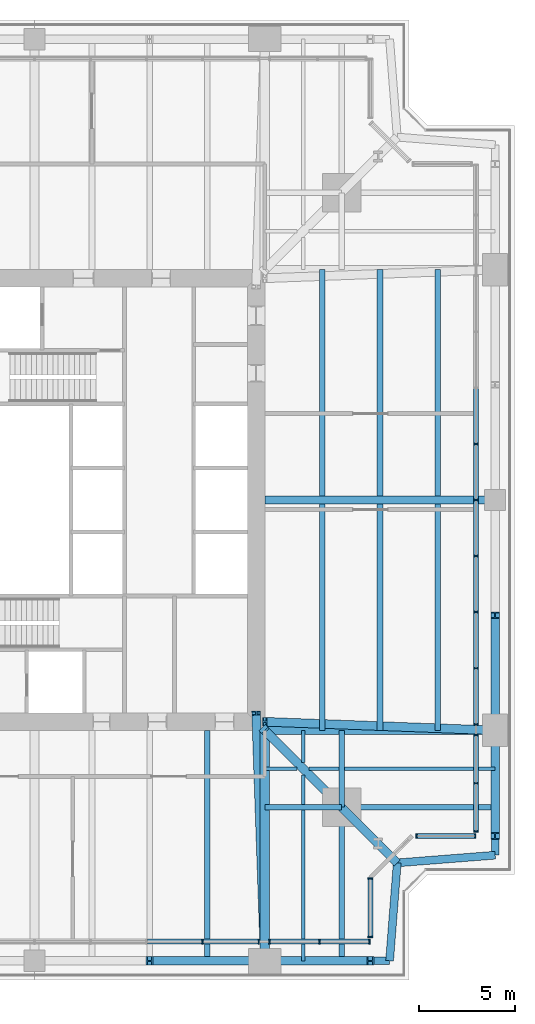
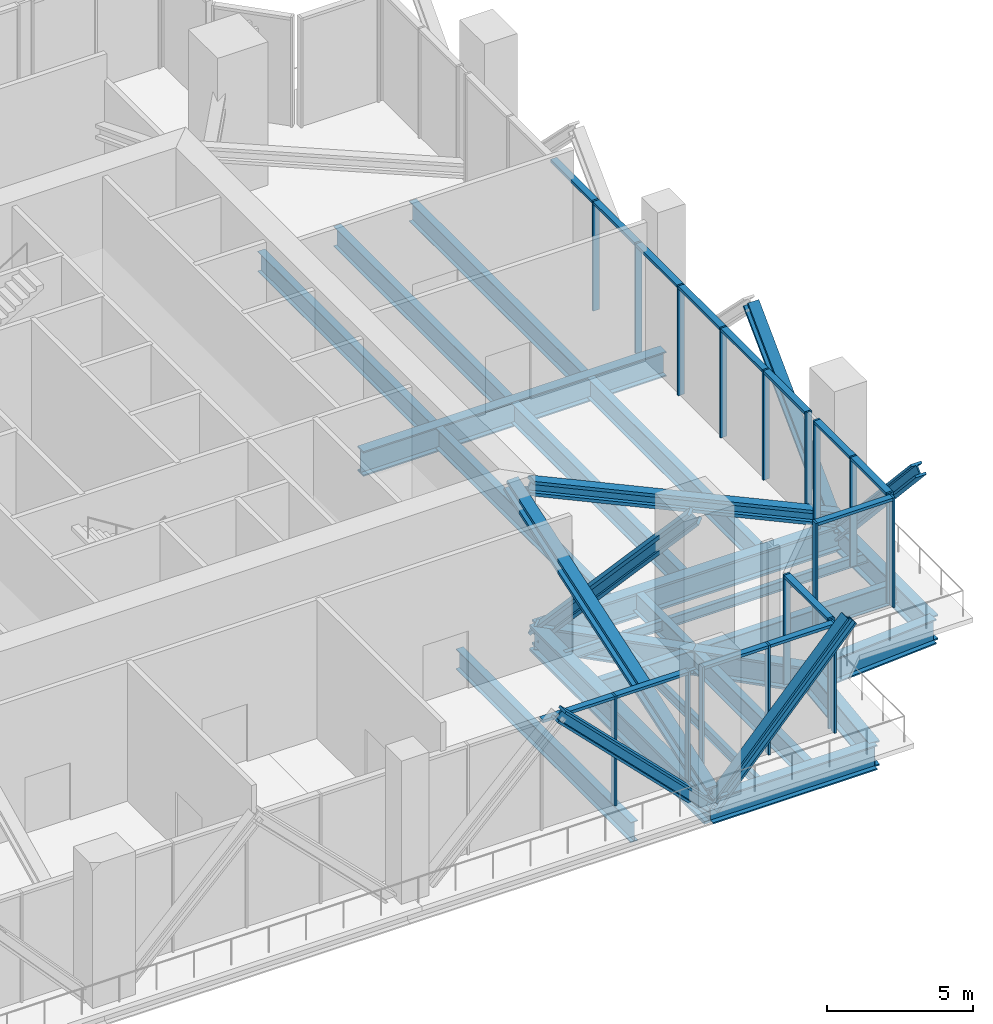
# One storey, part 5 of 14: 39 members, 26 beams, 6 elements without a shape of their own.
"""IFC4 building model written with IfcOpenShell, lengths in metres."""

import ifcopenshell
import ifcopenshell.guid

model = None  # the IFC model being written
_history = None  # IfcOwnerHistory: only IFC2X3 demands one
_inside = {}  # id of a spatial element -> (the spatial element, [elements in it])
_under = {}  # id of a project, library or spatial element -> (it, [spatial elements below it])
_declared = {}  # id of a project -> (the project, [libraries it declares])
_typed = {}  # id of a type object -> (the type object, [elements of that type])
_made_of = {}  # id of a material, layer set ... -> (it, [elements and type objects made of it])


def new_model(schema):
    """Start an empty IFC model of exactly this schema.

    Asked for "IFC4X3", IfcOpenShell would pick the latest addendum, in which some entities
    have other attributes; the version numbers below select the first issue.
    IFC2X3 requires an IfcOwnerHistory on every rooted entity: one is made here for all.
    """
    global model, _history
    if schema == "IFC4X3":
        model = ifcopenshell.file(schema_version=(4, 3, 0, 0))
    else:
        model = ifcopenshell.file(schema=schema)
    _inside.clear()
    _under.clear()
    _declared.clear()
    _typed.clear()
    _made_of.clear()
    _history = None
    if model.schema == "IFC2X3":
        org = make("IfcOrganization", Name="unknown")
        user = make(
            "IfcPersonAndOrganization",
            ThePerson=make("IfcPerson", FamilyName="unknown"),
            TheOrganization=org,
        )
        app = make(
            "IfcApplication",
            ApplicationDeveloper=org,
            Version="unknown",
            ApplicationFullName="unknown",
            ApplicationIdentifier="unknown",
        )
        _history = make(
            "IfcOwnerHistory",
            OwningUser=user,
            OwningApplication=app,
            ChangeAction="ADDED",
            CreationDate=0,
        )
    return model


def make(cls, **values):
    """One entity of the class cls with the attributes given. An attribute that is None is left unset."""
    return model.create_entity(
        cls, **{name: value for name, value in values.items() if value is not None}
    )


def rooted(cls, **values):
    """An entity with a GlobalId (a new one), such as an element, a storey or a relation."""
    return make(cls, GlobalId=ifcopenshell.guid.new(), OwnerHistory=_history, **values)


def si_unit(unit_type, name, prefix=None):
    """IfcSIUnit, for example si_unit("LENGTHUNIT", "METRE", prefix="MILLI")."""
    return make("IfcSIUnit", UnitType=unit_type, Prefix=prefix, Name=name)


def assignment(units):
    """IfcUnitAssignment: the units of a project."""
    return None if units is None else make("IfcUnitAssignment", Units=units)


def point(xyz):
    """IfcCartesianPoint."""
    return None if xyz is None else make("IfcCartesianPoint", Coordinates=xyz)


def direction(xyz):
    """IfcDirection."""
    return None if xyz is None else make("IfcDirection", DirectionRatios=xyz)


def frame(location, z_axis=None, x_axis=None):
    """IfcAxis2Placement3D, a coordinate frame: its origin and axes. An axis left out is left unset."""
    return make(
        "IfcAxis2Placement3D",
        Location=point(location),
        Axis=direction(z_axis),
        RefDirection=direction(x_axis),
    )


def frame_2d(location, x_axis=None):
    """IfcAxis2Placement2D, a coordinate frame in the plane: its origin and x axis."""
    return make(
        "IfcAxis2Placement2D", Location=point(location), RefDirection=direction(x_axis)
    )


def origin():
    """The frame at (0, 0, 0) with its axes left unset."""
    return frame((0.0, 0.0, 0.0))


def origin_2d():
    """The frame at (0, 0) in the plane with its x axis left unset."""
    return frame_2d((0.0, 0.0))


def place(relative_to, where):
    """IfcLocalPlacement: puts the frame where relative to a parent placement (None: the world)."""
    return make(
        "IfcLocalPlacement", PlacementRelTo=relative_to, RelativePlacement=where
    )


def context(
    kind, dimensions, precision=None, world=None, true_north=None, identifier=None
):
    """IfcGeometricRepresentationContext, for example the 3D "Model" context."""
    return make(
        "IfcGeometricRepresentationContext",
        ContextIdentifier=identifier,
        ContextType=kind,
        CoordinateSpaceDimension=dimensions,
        Precision=precision,
        WorldCoordinateSystem=world,
        TrueNorth=true_north,
    )


def subcontext(parent, identifier, kind, view, scale=None):
    """IfcGeometricRepresentationSubContext, for example "Body" below "Model"."""
    return make(
        "IfcGeometricRepresentationSubContext",
        ContextIdentifier=identifier,
        ContextType=kind,
        ParentContext=parent,
        TargetScale=scale,
        TargetView=view,
    )


def project(units=None, contexts=None):
    """IfcProject with its units and contexts."""
    return rooted(
        "IfcProject",
        Name="project",
        RepresentationContexts=contexts,
        UnitsInContext=assignment(units),
    )


def spatial(cls, under=None, at=None, **own):
    """A site, building, storey or space (cls), placed at a placement, below another one or the project."""
    s = rooted(cls, ObjectPlacement=at, **own)
    if under is not None:
        _under.setdefault(under.id(), (under, []))[1].append(s)
    return s


def profile(cls, at=None, kind="AREA", **sizes):
    """A parametric profile (cls). Its sizes go by their IFC names, for example OverallWidth=200.0."""
    return make(cls, ProfileType=kind, Position=at, **sizes)


def rectangle(**sizes):
    """IfcRectangleProfileDef."""
    return profile("IfcRectangleProfileDef", **sizes)


def i_section(**sizes):
    """IfcIShapeProfileDef."""
    return profile("IfcIShapeProfileDef", **sizes)


def extrude(swept, where, along, depth):
    """IfcExtrudedAreaSolid: the profile swept, set in the frame where, extruded along a direction by depth."""
    return make(
        "IfcExtrudedAreaSolid",
        SweptArea=swept,
        Position=where,
        ExtrudedDirection=direction(along),
        Depth=depth,
    )


def shape(context_of_items, identifier, shape_type, items):
    """IfcShapeRepresentation: the items that make up one representation, for example the "Body"."""
    return make(
        "IfcShapeRepresentation",
        ContextOfItems=context_of_items,
        RepresentationIdentifier=identifier,
        RepresentationType=shape_type,
        Items=items,
    )


def material(Name=None, Category=None):
    """IfcMaterial."""
    return make("IfcMaterial", Name=Name, Category=Category)


def material_profile(
    of_material, cross_section, Name=None, Category=None, Priority=None
):
    """IfcMaterialProfile: a cross section and its material."""
    return make(
        "IfcMaterialProfile",
        Name=Name,
        Material=of_material,
        Profile=cross_section,
        Priority=Priority,
        Category=Category,
    )


def profile_set(profiles, Name=None, composite=None):
    """IfcMaterialProfileSet."""
    return make(
        "IfcMaterialProfileSet",
        Name=Name,
        MaterialProfiles=profiles,
        CompositeProfile=composite,
    )


def made_of(thing, what):
    """Note that an element or type object is made of a material, layer set ...; save() writes the relation."""
    if what is not None:
        _made_of.setdefault(what.id(), (what, []))[1].append(thing)
    return thing


def type_object(cls, material=None, **own):
    """A type object (cls), such as IfcWallType, which elements share."""
    return made_of(rooted(cls, **own), material)


def element(
    cls,
    number,
    at=None,
    inside=None,
    cuts=None,
    type_object=None,
    material=None,
    context=None,
    identifier="Body",
    shape_type=None,
    held_by="IfcProductDefinitionShape",
    body=None,
    shapes=None,
    **own,
):
    """One element of the class cls, such as IfcWall. Its Tag is "e" and its number.

    at: its placement. inside: the storey or other place that contains it. cuts: it is an
    opening in that element (IfcRelVoidsElement). A single representation is given by context,
    identifier, shape_type and body (its items); several are given by shapes. held_by: the class
    of the entity that holds the representations. save() writes the other relations.
    """
    e = rooted(cls, Tag="e%d" % number, ObjectPlacement=at, **own)
    if body is not None:
        shapes = [shape(context, identifier, shape_type, body)]
    if shapes is not None:
        e.Representation = make(held_by, Representations=shapes)
    if inside is not None:
        _inside.setdefault(inside.id(), (inside, []))[1].append(e)
    if cuts is not None:
        rooted(
            "IfcRelVoidsElement", RelatingBuildingElement=cuts, RelatedOpeningElement=e
        )
    if type_object is not None:
        _typed.setdefault(type_object.id(), (type_object, []))[1].append(e)
    return made_of(e, material)


def aggregate(whole, parts):
    """IfcRelAggregates: a whole, such as a stair, and the parts it consists of."""
    return rooted("IfcRelAggregates", RelatingObject=whole, RelatedObjects=parts)


def save(model, path):
    """Write the relations noted so far, then the file.

    IfcRelAggregates (storeys below a building ...), IfcRelContainedInSpatialStructure (elements
    in a storey), IfcRelDefinesByType, IfcRelAssociatesMaterial and IfcRelDeclares: one each for
    every whole, place, type object, material and project.
    """
    for whole, parts in _under.values():
        aggregate(whole, parts)
    for where, things in _inside.values():
        rooted(
            "IfcRelContainedInSpatialStructure",
            RelatedElements=things,
            RelatingStructure=where,
        )
    for kind, things in _typed.values():
        rooted("IfcRelDefinesByType", RelatedObjects=things, RelatingType=kind)
    for what, things in _made_of.values():
        rooted("IfcRelAssociatesMaterial", RelatedObjects=things, RelatingMaterial=what)
    for by, libraries in _declared.values():
        rooted("IfcRelDeclares", RelatingContext=by, RelatedDefinitions=libraries)
    model.write(path)


model = new_model("IFC4")

# Units and contexts
model_context = context("Model", 3, precision=1e-05, world=origin(), true_north=direction((0.0, 1.0)))
body_context = subcontext(model_context, "Body", "Model", "MODEL_VIEW")
ifc_project = project(units=[si_unit("LENGTHUNIT", "METRE"), si_unit("AREAUNIT", "SQUARE_METRE"), si_unit("VOLUMEUNIT", "CUBIC_METRE"), si_unit("PLANEANGLEUNIT", "RADIAN"), si_unit("MASSUNIT", "GRAM", prefix="KILO")], contexts=[model_context])

# Site, building, storey
site_placement = place(None, origin())
site = spatial("IfcSite", under=ifc_project, at=site_placement, CompositionType="ELEMENT")
building_placement = place(site_placement, origin())
building = spatial("IfcBuilding", under=site, at=building_placement, Name="Fenwick Lantern Interchange", CompositionType="ELEMENT")
storey_placement = place(building_placement, frame((0.0, 0.0, 233.800048828125)))
storey = spatial("IfcBuildingStorey", under=building, at=storey_placement, Name="L55", CompositionType="ELEMENT", Elevation=233.800048828125)

# Members
ifc_material_1 = material(Name="Steel ASTM A992 Grade 50", Category="steel")
ifc_material_profile_1 = material_profile(ifc_material_1, i_section(OverallWidth=0.431884765625, OverallDepth=0.497802734375, WebThickness=0.0556640625, FlangeThickness=0.0888671875, at=origin_2d()), Name="W14X500")
ifc_profile_set_1 = profile_set([ifc_material_profile_1], Name="Steel ASTM A992 Grade 50")
member_type_1 = type_object("IfcMemberType", Name="BELT TRUSS DIAGONAL W14X500", PredefinedType="BRACE", material=ifc_profile_set_1)
member_1_placement = place(storey_placement, frame((37.0, 1.0, -0.650146484375), z_axis=(-0.707106781187, 0.0, 0.707106781187), x_axis=(0.0, -1.0, 0.0)))
element("IfcMember", 1, at=member_1_placement, inside=storey, type_object=member_type_1, Name="L55/BT/S/D5", PredefinedType="BRACE", context=body_context, shape_type="SweptSolid", body=[
    extrude(i_section(OverallWidth=0.431884765625, OverallDepth=0.497802734375, WebThickness=0.0556640625, FlangeThickness=0.0888671875, at=origin_2d()), origin(), (0.0, 0.0, 1.0), 8.4853515625),
])
for number, where, z_axis, x_axis, name in (
    (2, (37.0, 1.0, -0.650146484375), (0.675724628517, 0.0, 0.737154140201), (0.0, 1.0, 0.0), "L55/BT/S/D6"),
    (3, (49.0, 13.0, -0.650146484375), (0.0, -0.675724628517, 0.737154140201), (1.0, 0.0, 0.0), "L55/BT/E/D1"),
):
    element("IfcMember", number, at=place(storey_placement, frame(where, z_axis=z_axis, x_axis=x_axis)), inside=storey, type_object=member_type_1, Name=name, PredefinedType="BRACE", context=body_context, shape_type="SweptSolid", body=[
        extrude(i_section(OverallWidth=0.431884765625, OverallDepth=0.497802734375, WebThickness=0.0556640625, FlangeThickness=0.0888671875, at=origin_2d()), origin(), (0.0, 0.0, 1.0), 8.139404296875),
    ])
member_2_placement = place(storey_placement, frame((49.0, 13.0, -0.650146484375), z_axis=(0.0, 0.707106781187, 0.707106781187), x_axis=(-1.0, 0.0, 0.0)))
element("IfcMember", 4, at=member_2_placement, inside=storey, type_object=member_type_1, Name="L55/BT/E/D2", PredefinedType="BRACE", context=body_context, shape_type="SweptSolid", body=[
    extrude(i_section(OverallWidth=0.431884765625, OverallDepth=0.497802734375, WebThickness=0.0556640625, FlangeThickness=0.0888671875, at=origin_2d()), origin(), (0.0, 0.0, 1.0), 8.4853515625),
])

# Beams
ifc_material_profile_2 = material_profile(ifc_material_1, i_section(OverallWidth=0.408935546875, OverallDepth=1.04150390625, WebThickness=0.031005859375, FlangeThickness=0.055908203125, at=origin_2d()), Name="W40X397")
ifc_profile_set_2 = profile_set([ifc_material_profile_2], Name="Steel ASTM A992 Grade 50")
beam_type_1 = type_object("IfcBeamType", Name="EDGE BEAM W40X397", PredefinedType="SPANDREL", material=ifc_profile_set_2)
beam_1_placement = place(storey_placement, frame((37.0, 1.0, -0.720703125), z_axis=(1.0, 0.0, 0.0), x_axis=(0.0, 1.0, 0.0)))
element("IfcBeam", 5, at=beam_1_placement, inside=storey, type_object=beam_type_1, Name="L55/FR/S/EB4", PredefinedType="SPANDREL", context=body_context, shape_type="SweptSolid", body=[
    extrude(i_section(OverallWidth=0.408935546875, OverallDepth=1.04150390625, WebThickness=0.031005859375, FlangeThickness=0.055908203125, at=origin_2d()), origin(), (0.0, 0.0, 1.0), 6.5),
])
for number, where, z_axis, x_axis, name in (
    (6, (43.5, 1.0, -0.720703125), (0.078170784639, 0.99693998236, 0.0), (-0.99693998236, 0.078170784639, 0.0), "L55/FR/S/EBR1"),
    (7, (43.89990234375, 6.10009765625, -0.720703125), (0.99693998236, 0.078170784639, 0.0), (-0.078170784639, 0.99693998236, 0.0), "L55/FR/S/EBR2"),
):
    element("IfcBeam", number, at=place(storey_placement, frame(where, z_axis=z_axis, x_axis=x_axis)), inside=storey, type_object=beam_type_1, Name=name, PredefinedType="SPANDREL", context=body_context, shape_type="SweptSolid", body=[
        extrude(i_section(OverallWidth=0.408935546875, OverallDepth=1.04150390625, WebThickness=0.031005859375, FlangeThickness=0.055908203125, at=origin_2d()), origin(), (0.0, 0.0, 1.0), 5.11572265625),
    ])
beam_2_placement = place(storey_placement, frame((49.0, 6.5, -0.720703125), z_axis=(0.0, 1.0, 0.0), x_axis=(-1.0, 0.0, 0.0)))
element("IfcBeam", 8, at=beam_2_placement, inside=storey, type_object=beam_type_1, Name="L55/FR/E/EB1", PredefinedType="SPANDREL", context=body_context, shape_type="SweptSolid", body=[
    extrude(i_section(OverallWidth=0.408935546875, OverallDepth=1.04150390625, WebThickness=0.031005859375, FlangeThickness=0.055908203125, at=origin_2d()), origin(), (0.0, 0.0, 1.0), 6.5),
])
ifc_material_profile_3 = material_profile(ifc_material_1, i_section(OverallWidth=0.2919921875, OverallDepth=0.845703125, WebThickness=0.015380859375, FlangeThickness=0.0244140625, at=origin_2d()), Name="W33X141")
ifc_profile_set_3 = profile_set([ifc_material_profile_3], Name="Steel ASTM A992 Grade 50")
beam_type_2 = type_object("IfcBeamType", Name="FLOOR BEAM W33X141", PredefinedType="BEAM", material=ifc_profile_set_3)
beam_3_placement = place(storey_placement, frame((34.0, 1.0, -0.623046875), z_axis=(0.0, 1.0, 0.0), x_axis=(-1.0, 0.0, 0.0)))
element("IfcBeam", 9, at=beam_3_placement, inside=storey, type_object=beam_type_2, Name="L55/FR/S/R08", PredefinedType="BEAM", context=body_context, shape_type="SweptSolid", body=[
    extrude(i_section(OverallWidth=0.2919921875, OverallDepth=0.845703125, WebThickness=0.015380859375, FlangeThickness=0.0244140625, at=origin_2d()), origin(), (0.0, 0.0, 1.0), 12.0),
])
for number, where, z_axis, x_axis, name in (
    (10, (46.0, 13.0, -0.623046875), (0.0, 1.0, 0.0), (-1.0, 0.0, 0.0), "L55/FR/E/B01"),
    (11, (43.0, 13.0, -0.623046875), (0.0, 1.0, 0.0), (-1.0, 0.0, 0.0), "L55/FR/E/B02"),
    (12, (40.0, 13.0, -0.623046875), (0.0, 1.0, 0.0), (-1.0, 0.0, 0.0), "L55/FR/E/B03"),
    (13, (46.0, 25.20458984375, -0.623046875), (0.0, 1.0, 0.0), (-1.0, 0.0, 0.0), "L55/FR/E/B04"),
    (14, (43.0, 25.20458984375, -0.623046875), (0.0, 1.0, 0.0), (-1.0, 0.0, 0.0), "L55/FR/E/B05"),
    (15, (40.0, 25.20458984375, -0.623046875), (0.0, 1.0, 0.0), (-1.0, 0.0, 0.0), "L55/FR/E/B06"),
):
    element("IfcBeam", number, at=place(storey_placement, frame(where, z_axis=z_axis, x_axis=x_axis)), inside=storey, type_object=beam_type_2, Name=name, PredefinedType="BEAM", context=body_context, shape_type="SweptSolid", body=[
        extrude(i_section(OverallWidth=0.2919921875, OverallDepth=0.845703125, WebThickness=0.015380859375, FlangeThickness=0.0244140625, at=origin_2d()), origin(), (0.0, 0.0, 1.0), 11.79541015625),
    ])
ifc_material_profile_4 = material_profile(ifc_material_1, i_section(OverallWidth=0.177734375, OverallDepth=0.406494140625, WebThickness=0.0078125, FlangeThickness=0.012939453125, at=origin_2d()), Name="W16X40")
ifc_profile_set_4 = profile_set([ifc_material_profile_4], Name="Steel ASTM A992 Grade 50")
beam_type_3 = type_object("IfcBeamType", Name="INFILL BEAM W16X40", PredefinedType="JOIST", material=ifc_profile_set_4)
beam_4_placement = place(storey_placement, frame((49.0, 11.0, -0.4033203125), z_axis=(-1.0, 0.0, 0.0), x_axis=(0.0, -1.0, 0.0)))
element("IfcBeam", 16, at=beam_4_placement, inside=storey, type_object=beam_type_3, Name="L55/FR/E/J1", PredefinedType="JOIST", context=body_context, shape_type="SweptSolid", body=[
    extrude(i_section(OverallWidth=0.177734375, OverallDepth=0.406494140625, WebThickness=0.0078125, FlangeThickness=0.012939453125, at=origin_2d()), origin(), (0.0, 0.0, 1.0), 7.85400390625),
])
beam_5_placement = place(storey_placement, frame((40.85400390625, 11.0, -0.4033203125), z_axis=(-1.0, 0.0, 0.0), x_axis=(0.0, -1.0, 0.0)))
element("IfcBeam", 17, at=beam_5_placement, inside=storey, type_object=beam_type_3, Name="L55/FR/E/J2", PredefinedType="JOIST", context=body_context, shape_type="SweptSolid", body=[
    extrude(i_section(OverallWidth=0.177734375, OverallDepth=0.406494140625, WebThickness=0.0078125, FlangeThickness=0.012939453125, at=origin_2d()), origin(), (0.0, 0.0, 1.0), 1.537841796875),
])
beam_6_placement = place(storey_placement, frame((38.683837890625, 11.0, -0.4033203125), z_axis=(-1.0, 0.0, 0.0), x_axis=(0.0, -1.0, 0.0)))
element("IfcBeam", 18, at=beam_6_placement, inside=storey, type_object=beam_type_3, Name="L55/FR/E/J6", PredefinedType="JOIST", context=body_context, shape_type="SweptSolid", body=[
    extrude(i_section(OverallWidth=0.177734375, OverallDepth=0.406494140625, WebThickness=0.0078125, FlangeThickness=0.012939453125, at=origin_2d()), origin(), (0.0, 0.0, 1.0), 1.683837890625),
])
beam_7_placement = place(storey_placement, frame((39.0, 1.0, -0.4033203125), z_axis=(0.0, 1.0, 0.0), x_axis=(-1.0, 0.0, 0.0)))
element("IfcBeam", 19, at=beam_7_placement, inside=storey, type_object=beam_type_3, Name="L55/FR/E/J3", PredefinedType="JOIST", context=body_context, shape_type="SweptSolid", body=[
    extrude(i_section(OverallWidth=0.177734375, OverallDepth=0.406494140625, WebThickness=0.0078125, FlangeThickness=0.012939453125, at=origin_2d()), origin(), (0.0, 0.0, 1.0), 7.85400390625),
])
beam_8_placement = place(storey_placement, frame((39.0, 9.14599609375, -0.4033203125), z_axis=(0.0, 1.0, 0.0), x_axis=(-1.0, 0.0, 0.0)))
element("IfcBeam", 20, at=beam_8_placement, inside=storey, type_object=beam_type_3, Name="L55/FR/E/J4", PredefinedType="JOIST", context=body_context, shape_type="SweptSolid", body=[
    extrude(i_section(OverallWidth=0.177734375, OverallDepth=0.406494140625, WebThickness=0.0078125, FlangeThickness=0.012939453125, at=origin_2d()), origin(), (0.0, 0.0, 1.0), 1.537841796875),
])
beam_9_placement = place(storey_placement, frame((39.0, 11.316162109375, -0.4033203125), z_axis=(0.0, 1.0, 0.0), x_axis=(-1.0, 0.0, 0.0)))
element("IfcBeam", 21, at=beam_9_placement, inside=storey, type_object=beam_type_3, Name="L55/FR/E/J5", PredefinedType="JOIST", context=body_context, shape_type="SweptSolid", body=[
    extrude(i_section(OverallWidth=0.177734375, OverallDepth=0.406494140625, WebThickness=0.0078125, FlangeThickness=0.012939453125, at=origin_2d()), origin(), (0.0, 0.0, 1.0), 1.683837890625),
])
ifc_material_profile_5 = material_profile(ifc_material_1, i_section(OverallWidth=0.2919921875, OverallDepth=0.845703125, WebThickness=0.015380859375, FlangeThickness=0.0244140625, at=origin_2d()), Name="W33X141")
ifc_profile_set_5 = profile_set([ifc_material_profile_5], Name="Steel ASTM A992 Grade 50")
beam_type_4 = type_object("IfcBeamType", Name="MEGA COLUMN BEAM W33X141", PredefinedType="BEAM", material=ifc_profile_set_5)
for number, where, z_axis, x_axis, name in (
    (22, (41.0, 9.0, -0.623046875), (1.0, 0.0, 0.0), (0.0, 1.0, 0.0), "L55/FR/E/MB1"),
    (23, (41.0, 9.0, -0.623046875), (0.0, -1.0, 0.0), (1.0, 0.0, 0.0), "L55/FR/E/MB2"),
):
    element("IfcBeam", number, at=place(storey_placement, frame(where, z_axis=z_axis, x_axis=x_axis)), inside=storey, type_object=beam_type_4, Name=name, PredefinedType="BEAM", context=body_context, shape_type="SweptSolid", body=[
        extrude(i_section(OverallWidth=0.2919921875, OverallDepth=0.845703125, WebThickness=0.015380859375, FlangeThickness=0.0244140625, at=origin_2d()), origin(), (0.0, 0.0, 1.0), 8.0),
    ])
for number, where, z_axis, x_axis, name in (
    (24, (41.0, 9.0, -0.623046875), (0.0, 1.0, 0.0), (-1.0, 0.0, 0.0), "L55/FR/E/MB3"),
    (25, (41.0, 9.0, -0.623046875), (-1.0, 0.0, 0.0), (0.0, -1.0, 0.0), "L55/FR/E/MB4"),
):
    element("IfcBeam", number, at=place(storey_placement, frame(where, z_axis=z_axis, x_axis=x_axis)), inside=storey, type_object=beam_type_4, Name=name, PredefinedType="BEAM", context=body_context, shape_type="SweptSolid", body=[
        extrude(i_section(OverallWidth=0.2919921875, OverallDepth=0.845703125, WebThickness=0.015380859375, FlangeThickness=0.0244140625, at=origin_2d()), origin(), (0.0, 0.0, 1.0), 4.0),
    ])
ifc_material_profile_6 = material_profile(ifc_material_1, i_section(OverallWidth=0.447021484375, OverallDepth=1.0439453125, WebThickness=0.050048828125, FlangeThickness=0.08984375, at=origin_2d()), Name="W36X652")
ifc_profile_set_6 = profile_set([ifc_material_profile_6], Name="Steel ASTM A992 Grade 50")
beam_type_5 = type_object("IfcBeamType", Name="MOMENT-CONNECTED GIRDER W36X652", PredefinedType="BEAM", material=ifc_profile_set_6)
beam_10_placement = place(storey_placement, frame((49.0, 13.0, -0.721923828125), z_axis=(-1.0, 0.0, 0.0), x_axis=(0.0, -1.0, 0.0)))
element("IfcBeam", 26, at=beam_10_placement, inside=storey, type_object=beam_type_5, Name="L55/FR/E/R01", PredefinedType="BEAM", context=body_context, shape_type="SweptSolid", body=[
    extrude(i_section(OverallWidth=0.447021484375, OverallDepth=1.0439453125, WebThickness=0.050048828125, FlangeThickness=0.08984375, at=origin_2d()), origin(), (0.0, 0.0, 1.0), 12.0),
])
ifc_material_profile_7 = material_profile(ifc_material_1, i_section(OverallWidth=0.472412109375, OverallDepth=1.0947265625, WebThickness=0.07666015625, FlangeThickness=0.114990234375, at=origin_2d()), Name="W36X925")
ifc_profile_set_7 = profile_set([ifc_material_profile_7], Name="Steel ASTM A992 Grade 50")
beam_type_6 = type_object("IfcBeamType", Name="MOMENT-CONNECTED GIRDER W36X925", PredefinedType="BEAM", material=ifc_profile_set_7)
beam_11_placement = place(storey_placement, frame((37.0, 1.0, -0.747314453125), z_axis=(0.0, 1.0, 0.0), x_axis=(-1.0, 0.0, 0.0)))
element("IfcBeam", 27, at=beam_11_placement, inside=storey, type_object=beam_type_6, Name="L55/FR/S/R09", PredefinedType="BEAM", context=body_context, shape_type="SweptSolid", body=[
    extrude(i_section(OverallWidth=0.472412109375, OverallDepth=1.0947265625, WebThickness=0.07666015625, FlangeThickness=0.114990234375, at=origin_2d()), origin(), (0.0, 0.0, 1.0), 12.0),
])
ifc_material_profile_8 = material_profile(ifc_material_1, i_section(OverallWidth=0.408935546875, OverallDepth=1.04150390625, WebThickness=0.031005859375, FlangeThickness=0.055908203125, at=origin_2d()), Name="W40X397")
ifc_profile_set_8 = profile_set([ifc_material_profile_8], Name="Steel ASTM A992 Grade 50")
beam_type_7 = type_object("IfcBeamType", Name="MOMENT-CONNECTED GIRDER W40X397", PredefinedType="BEAM", material=ifc_profile_set_8)
beam_12_placement = place(storey_placement, frame((49.0, 25.0, -0.720703125), z_axis=(-1.0, 0.0, 0.0), x_axis=(0.0, -1.0, 0.0)))
element("IfcBeam", 28, at=beam_12_placement, inside=storey, type_object=beam_type_7, Name="L55/FR/E/R02", PredefinedType="BEAM", context=body_context, shape_type="SweptSolid", body=[
    extrude(i_section(OverallWidth=0.408935546875, OverallDepth=1.04150390625, WebThickness=0.031005859375, FlangeThickness=0.055908203125, at=origin_2d()), origin(), (0.0, 0.0, 1.0), 12.0),
])
ifc_material_profile_9 = material_profile(ifc_material_1, i_section(OverallWidth=0.447021484375, OverallDepth=1.0439453125, WebThickness=0.050048828125, FlangeThickness=0.08984375, at=origin_2d()), Name="W36X652")
ifc_profile_set_9 = profile_set([ifc_material_profile_9], Name="Steel ASTM A992 Grade 50")
beam_type_8 = type_object("IfcBeamType", Name="NOTCH BEAM W36X652", PredefinedType="BEAM", material=ifc_profile_set_9)
beam_13_placement = place(storey_placement, frame((41.0, 9.0, -0.721923828125), z_axis=(0.707106781187, -0.707106781187, 0.0), x_axis=(0.707106781187, 0.707106781187, 0.0)))
element("IfcBeam", 29, at=beam_13_placement, inside=storey, type_object=beam_type_8, Name="L55/FR/E/TG", PredefinedType="BEAM", context=body_context, shape_type="SweptSolid", body=[
    extrude(i_section(OverallWidth=0.447021484375, OverallDepth=1.0439453125, WebThickness=0.050048828125, FlangeThickness=0.08984375, at=origin_2d()), origin(), (0.0, 0.0, 1.0), 4.10107421875),
])
ifc_material_profile_10 = material_profile(ifc_material_1, i_section(OverallWidth=0.447021484375, OverallDepth=1.0439453125, WebThickness=0.050048828125, FlangeThickness=0.08984375, at=origin_2d()), Name="W36X652")
ifc_profile_set_10 = profile_set([ifc_material_profile_10], Name="Steel ASTM A992 Grade 50")
beam_type_9 = type_object("IfcBeamType", Name="OUTRIGGER CHORD W36X652", PredefinedType="BEAM", material=ifc_profile_set_10)
beam_14_placement = place(storey_placement, frame((37.0, 13.0, -0.721923828125), z_axis=(0.707106781187, -0.707106781187, 0.0), x_axis=(0.707106781187, 0.707106781187, 0.0)))
element("IfcBeam", 30, at=beam_14_placement, inside=storey, type_object=beam_type_9, Name="L55/OR/E/BC", PredefinedType="BEAM", context=body_context, shape_type="SweptSolid", body=[
    extrude(i_section(OverallWidth=0.447021484375, OverallDepth=1.0439453125, WebThickness=0.050048828125, FlangeThickness=0.08984375, at=origin_2d()), origin(), (0.0, 0.0, 1.0), 5.65673828125),
])

# Members
ifc_material_profile_11 = material_profile(ifc_material_1, i_section(OverallWidth=0.45458984375, OverallDepth=0.56884765625, WebThickness=0.077880859375, FlangeThickness=0.124755859375, at=origin_2d()), Name="W14X730")
ifc_profile_set_11 = profile_set([ifc_material_profile_11], Name="Steel ASTM A992 Grade 50")
member_type_2 = type_object("IfcMemberType", Name="OUTRIGGER DIAGONAL W14X730", PredefinedType="BRACE", material=ifc_profile_set_11)
member_3_placement = place(storey_placement, frame((37.0, 1.0, 0.0), z_axis=(-0.032287919116, 0.925680450498, 0.376925979266), x_axis=(-0.999392240336, -0.034859001078, 0.0)))
element("IfcMember", 31, at=member_3_placement, inside=storey, type_object=member_type_2, Name="L55/OR/S/W2", PredefinedType="BRACE", context=body_context, shape_type="SweptSolid", body=[
    extrude(i_section(OverallWidth=0.45458984375, OverallDepth=0.56884765625, WebThickness=0.077880859375, FlangeThickness=0.124755859375, at=origin_2d()), origin(), (0.0, 0.0, 1.0), 13.935546875),
])
member_4_placement = place(storey_placement, frame((37.0, 13.0, -0.721923828125), z_axis=(0.485071250073, -0.485071250073, 0.727606875109), x_axis=(0.707106781187, 0.707106781187, 0.0)))
element("IfcMember", 32, at=member_4_placement, inside=storey, type_object=member_type_2, Name="L55/OR/E/D", PredefinedType="BRACE", context=body_context, shape_type="SweptSolid", body=[
    extrude(i_section(OverallWidth=0.45458984375, OverallDepth=0.56884765625, WebThickness=0.077880859375, FlangeThickness=0.124755859375, at=origin_2d()), origin(), (0.0, 0.0, 1.0), 8.24609375),
])
member_5_placement = place(storey_placement, frame((49.0, 13.0, 0.0), z_axis=(-0.914830425653, 0.034302418507, 0.402378722579), x_axis=(-0.037469600146, -0.999297767968, 0.0)))
element("IfcMember", 33, at=member_5_placement, inside=storey, type_object=member_type_2, Name="L55/OR/E/W1", PredefinedType="BRACE", context=body_context, shape_type="SweptSolid", body=[
    extrude(i_section(OverallWidth=0.45458984375, OverallDepth=0.56884765625, WebThickness=0.077880859375, FlangeThickness=0.124755859375, at=origin_2d()), origin(), (0.0, 0.0, 1.0), 13.1171875),
])

# Curtain wall, members
ifc_material_2 = material(Name="Aluminium curtain wall frame", Category="aluminium")
curtain_wall_type = type_object("IfcCurtainWallType", Name="PLANT LOUVRE SCREEN", PredefinedType="USERDEFINED", material=ifc_material_2)
curtain_wall_1_placement = place(storey_placement, origin())
curtain_wall_1 = element("IfcCurtainWall", 34, at=curtain_wall_1_placement, inside=storey, type_object=curtain_wall_type, Name="Plant louvre screen 01", ObjectType="PLANT LOUVRE SCREEN", PredefinedType="USERDEFINED")
ifc_material_3 = material(Name="Aluminium extrusion", Category="aluminium")
ifc_material_profile_12 = material_profile(ifc_material_3, rectangle(XDim=0.25, YDim=0.074951171875, at=origin_2d()), Name="PLANT LOUVRE SCREEN MULLION 75 X 250")
ifc_profile_set_12 = profile_set([ifc_material_profile_12], Name="Aluminium extrusion")
member_type_3 = type_object("IfcMemberType", Name="PLANT LOUVRE SCREEN MULLION 75 X 250", PredefinedType="MULLION", material=ifc_profile_set_12)
member_6_placement = place(storey_placement, frame((42.5, 2.237548828125, 0.0), z_axis=(0.0, 0.0, 1.0), x_axis=(-1.0, 0.0, 0.0)))
member_6 = element("IfcMember", 35, at=member_6_placement, type_object=member_type_3, Name="L55/CW/01/M00", PredefinedType="MULLION", context=body_context, shape_type="SweptSolid", body=[
    extrude(rectangle(XDim=0.25, YDim=0.074951171875, at=origin_2d()), origin(), (0.0, 0.0, 1.0), 4.599853515625),
])
member_7_placement = place(storey_placement, frame((42.5, 5.291015625, 0.0), z_axis=(0.0, 0.0, 1.0), x_axis=(-1.0, 0.0, 0.0)))
member_7 = element("IfcMember", 36, at=member_7_placement, type_object=member_type_3, Name="L55/CW/01/M01", PredefinedType="MULLION", context=body_context, shape_type="SweptSolid", body=[
    extrude(rectangle(XDim=0.25, YDim=0.074951171875, at=origin_2d()), origin(), (0.0, 0.0, 1.0), 4.599853515625),
])

curtain_wall_2_placement = place(storey_placement, origin())
curtain_wall_2 = element("IfcCurtainWall", 37, at=curtain_wall_2_placement, inside=storey, type_object=curtain_wall_type, Name="Plant louvre screen 03", ObjectType="PLANT LOUVRE SCREEN", PredefinedType="USERDEFINED")
member_8_placement = place(storey_placement, frame((44.9091796875, 7.5, 0.0), z_axis=(0.0, 0.0, 1.0), x_axis=(0.0, 1.0, 0.0)))
member_8 = element("IfcMember", 38, at=member_8_placement, type_object=member_type_3, Name="L55/CW/03/M00", PredefinedType="MULLION", context=body_context, shape_type="SweptSolid", body=[
    extrude(rectangle(XDim=0.25, YDim=0.074951171875, at=origin_2d()), origin(), (0.0, 0.0, 1.0), 4.599853515625),
])
member_9_placement = place(storey_placement, frame((47.96240234375, 7.5, 0.0), z_axis=(0.0, 0.0, 1.0), x_axis=(0.0, 1.0, 0.0)))
member_9 = element("IfcMember", 39, at=member_9_placement, type_object=member_type_3, Name="L55/CW/03/M01", PredefinedType="MULLION", context=body_context, shape_type="SweptSolid", body=[
    extrude(rectangle(XDim=0.25, YDim=0.074951171875, at=origin_2d()), origin(), (0.0, 0.0, 1.0), 4.599853515625),
])

curtain_wall_3_placement = place(storey_placement, origin())
curtain_wall_3 = element("IfcCurtainWall", 40, at=curtain_wall_3_placement, inside=storey, type_object=curtain_wall_type, Name="Plant louvre screen 04A", ObjectType="PLANT LOUVRE SCREEN", PredefinedType="USERDEFINED")
member_10_placement = place(storey_placement, frame((48.0, 7.737548828125, 0.0), z_axis=(0.0, 0.0, 1.0), x_axis=(-1.0, 0.0, 0.0)))
member_10 = element("IfcMember", 41, at=member_10_placement, type_object=member_type_3, Name="L55/CW/04A/M00", PredefinedType="MULLION", context=body_context, shape_type="SweptSolid", body=[
    extrude(rectangle(XDim=0.25, YDim=0.074951171875, at=origin_2d()), origin(), (0.0, 0.0, 1.0), 4.599853515625),
])
member_11_placement = place(storey_placement, frame((48.0, 10.24755859375, 0.0), z_axis=(0.0, 0.0, 1.0), x_axis=(-1.0, 0.0, 0.0)))
member_11 = element("IfcMember", 42, at=member_11_placement, type_object=member_type_3, Name="L55/CW/04A/M01", PredefinedType="MULLION", context=body_context, shape_type="SweptSolid", body=[
    extrude(rectangle(XDim=0.25, YDim=0.074951171875, at=origin_2d()), origin(), (0.0, 0.0, 1.0), 4.599853515625),
])
member_12_placement = place(storey_placement, frame((48.0, 12.7578125, 0.0), z_axis=(0.0, 0.0, 1.0), x_axis=(-1.0, 0.0, 0.0)))
member_12 = element("IfcMember", 43, at=member_12_placement, type_object=member_type_3, Name="L55/CW/04A/M02", PredefinedType="MULLION", context=body_context, shape_type="SweptSolid", body=[
    extrude(rectangle(XDim=0.25, YDim=0.074951171875, at=origin_2d()), origin(), (0.0, 0.0, 1.0), 4.599853515625),
])

curtain_wall_4_placement = place(storey_placement, origin())
curtain_wall_4 = element("IfcCurtainWall", 44, at=curtain_wall_4_placement, inside=storey, type_object=curtain_wall_type, Name="Plant louvre screen 04B", ObjectType="PLANT LOUVRE SCREEN", PredefinedType="USERDEFINED")
member_13_placement = place(storey_placement, frame((48.0, 13.317138671875, 0.0), z_axis=(0.0, 0.0, 1.0), x_axis=(-1.0, 0.0, 0.0)))
member_13 = element("IfcMember", 45, at=member_13_placement, type_object=member_type_3, Name="L55/CW/04B/M00", PredefinedType="MULLION", context=body_context, shape_type="SweptSolid", body=[
    extrude(rectangle(XDim=0.25, YDim=0.074951171875, at=origin_2d()), origin(), (0.0, 0.0, 1.0), 4.599853515625),
])
member_14_placement = place(storey_placement, frame((48.0, 16.23779296875, 0.0), z_axis=(0.0, 0.0, 1.0), x_axis=(-1.0, 0.0, 0.0)))
member_14 = element("IfcMember", 46, at=member_14_placement, type_object=member_type_3, Name="L55/CW/04B/M01", PredefinedType="MULLION", context=body_context, shape_type="SweptSolid", body=[
    extrude(rectangle(XDim=0.25, YDim=0.074951171875, at=origin_2d()), origin(), (0.0, 0.0, 1.0), 4.599853515625),
])
member_15_placement = place(storey_placement, frame((48.0, 19.15869140625, 0.0), z_axis=(0.0, 0.0, 1.0), x_axis=(-1.0, 0.0, 0.0)))
member_15 = element("IfcMember", 47, at=member_15_placement, type_object=member_type_3, Name="L55/CW/04B/M02", PredefinedType="MULLION", context=body_context, shape_type="SweptSolid", body=[
    extrude(rectangle(XDim=0.25, YDim=0.074951171875, at=origin_2d()), origin(), (0.0, 0.0, 1.0), 4.599853515625),
])
member_16_placement = place(storey_placement, frame((48.0, 22.079345703125, 0.0), z_axis=(0.0, 0.0, 1.0), x_axis=(-1.0, 0.0, 0.0)))
member_16 = element("IfcMember", 48, at=member_16_placement, type_object=member_type_3, Name="L55/CW/04B/M03", PredefinedType="MULLION", context=body_context, shape_type="SweptSolid", body=[
    extrude(rectangle(XDim=0.25, YDim=0.074951171875, at=origin_2d()), origin(), (0.0, 0.0, 1.0), 4.599853515625),
])
member_17_placement = place(storey_placement, frame((48.0, 25.0, 0.0), z_axis=(0.0, 0.0, 1.0), x_axis=(-1.0, 0.0, 0.0)))
member_17 = element("IfcMember", 49, at=member_17_placement, type_object=member_type_3, Name="L55/CW/04B/M04", PredefinedType="MULLION", context=body_context, shape_type="SweptSolid", body=[
    extrude(rectangle(XDim=0.25, YDim=0.074951171875, at=origin_2d()), origin(), (0.0, 0.0, 1.0), 4.599853515625),
])
member_18_placement = place(storey_placement, frame((48.0, 27.920654296875, 0.0), z_axis=(0.0, 0.0, 1.0), x_axis=(-1.0, 0.0, 0.0)))
member_18 = element("IfcMember", 50, at=member_18_placement, type_object=member_type_3, Name="L55/CW/04B/M05", PredefinedType="MULLION", context=body_context, shape_type="SweptSolid", body=[
    extrude(rectangle(XDim=0.25, YDim=0.074951171875, at=origin_2d()), origin(), (0.0, 0.0, 1.0), 4.599853515625),
])

curtain_wall_5_placement = place(storey_placement, origin())
curtain_wall_5 = element("IfcCurtainWall", 51, at=curtain_wall_5_placement, inside=storey, type_object=curtain_wall_type, Name="Plant louvre screen 16B", ObjectType="PLANT LOUVRE SCREEN", PredefinedType="USERDEFINED")
member_19_placement = place(storey_placement, frame((33.764404296875, 2.0, 0.0), z_axis=(0.0, 0.0, 1.0), x_axis=(0.0, 1.0, 0.0)))
member_19 = element("IfcMember", 52, at=member_19_placement, type_object=member_type_3, Name="L55/CW/16B/M07", PredefinedType="MULLION", context=body_context, shape_type="SweptSolid", body=[
    extrude(rectangle(XDim=0.25, YDim=0.074951171875, at=origin_2d()), origin(), (0.0, 0.0, 1.0), 4.599853515625),
])
member_20_placement = place(storey_placement, frame((36.685791015625, 2.0, 0.0), z_axis=(0.0, 0.0, 1.0), x_axis=(0.0, 1.0, 0.0)))
member_20 = element("IfcMember", 53, at=member_20_placement, type_object=member_type_3, Name="L55/CW/16B/M08", PredefinedType="MULLION", context=body_context, shape_type="SweptSolid", body=[
    extrude(rectangle(XDim=0.25, YDim=0.074951171875, at=origin_2d()), origin(), (0.0, 0.0, 1.0), 4.599853515625),
])

curtain_wall_6_placement = place(storey_placement, origin())
curtain_wall_6 = element("IfcCurtainWall", 54, at=curtain_wall_6_placement, inside=storey, type_object=curtain_wall_type, Name="Plant louvre screen 16C", ObjectType="PLANT LOUVRE SCREEN", PredefinedType="USERDEFINED")
member_21_placement = place(storey_placement, frame((37.244384765625, 2.0, 0.0), z_axis=(0.0, 0.0, 1.0), x_axis=(0.0, 1.0, 0.0)))
member_21 = element("IfcMember", 55, at=member_21_placement, type_object=member_type_3, Name="L55/CW/16C/M00", PredefinedType="MULLION", context=body_context, shape_type="SweptSolid", body=[
    extrude(rectangle(XDim=0.25, YDim=0.074951171875, at=origin_2d()), origin(), (0.0, 0.0, 1.0), 4.599853515625),
])
member_22_placement = place(storey_placement, frame((39.853515625, 2.0, 0.0), z_axis=(0.0, 0.0, 1.0), x_axis=(0.0, 1.0, 0.0)))
member_22 = element("IfcMember", 56, at=member_22_placement, type_object=member_type_3, Name="L55/CW/16C/M01", PredefinedType="MULLION", context=body_context, shape_type="SweptSolid", body=[
    extrude(rectangle(XDim=0.25, YDim=0.074951171875, at=origin_2d()), origin(), (0.0, 0.0, 1.0), 4.599853515625),
])
member_23_placement = place(storey_placement, frame((42.46240234375, 2.0, 0.0), z_axis=(0.0, 0.0, 1.0), x_axis=(0.0, 1.0, 0.0)))
member_23 = element("IfcMember", 57, at=member_23_placement, type_object=member_type_3, Name="L55/CW/16C/M02", PredefinedType="MULLION", context=body_context, shape_type="SweptSolid", body=[
    extrude(rectangle(XDim=0.25, YDim=0.074951171875, at=origin_2d()), origin(), (0.0, 0.0, 1.0), 4.599853515625),
])

# Member
ifc_material_profile_13 = material_profile(ifc_material_3, rectangle(XDim=0.25, YDim=0.1201171875, at=origin_2d()), Name="PLANT LOUVRE SCREEN TRANSOM 120 X 250")
ifc_profile_set_13 = profile_set([ifc_material_profile_13], Name="Aluminium extrusion")
member_type_4 = type_object("IfcMemberType", Name="PLANT LOUVRE SCREEN TRANSOM 120 X 250", PredefinedType="MULLION", material=ifc_profile_set_13)
member_24_placement = place(storey_placement, frame((42.5, 2.27490234375, 4.5400390625), z_axis=(0.0, 1.0, 0.0), x_axis=(-1.0, 0.0, 0.0)))
member_24 = element("IfcMember", 58, at=member_24_placement, type_object=member_type_4, Name="L55/CW/01/T00", PredefinedType="MULLION", context=body_context, shape_type="SweptSolid", body=[
    extrude(rectangle(XDim=0.25, YDim=0.1201171875, at=origin_2d()), origin(), (0.0, 0.0, 1.0), 2.978515625),
])

aggregate(curtain_wall_1, [member_6, member_7, member_24])

member_25_placement = place(storey_placement, frame((44.946533203125, 7.5, 4.5400390625), z_axis=(1.0, 0.0, 0.0), x_axis=(0.0, 1.0, 0.0)))
member_25 = element("IfcMember", 59, at=member_25_placement, type_object=member_type_4, Name="L55/CW/03/T00", PredefinedType="MULLION", context=body_context, shape_type="SweptSolid", body=[
    extrude(rectangle(XDim=0.25, YDim=0.1201171875, at=origin_2d()), origin(), (0.0, 0.0, 1.0), 2.978515625),
])

aggregate(curtain_wall_2, [member_8, member_9, member_25])

member_26_placement = place(storey_placement, frame((48.0, 7.77490234375, 4.5400390625), z_axis=(0.0, 1.0, 0.0), x_axis=(-1.0, 0.0, 0.0)))
member_26 = element("IfcMember", 60, at=member_26_placement, type_object=member_type_4, Name="L55/CW/04A/T00", PredefinedType="MULLION", context=body_context, shape_type="SweptSolid", body=[
    extrude(rectangle(XDim=0.25, YDim=0.1201171875, at=origin_2d()), origin(), (0.0, 0.0, 1.0), 2.435302734375),
])

member_27_placement = place(storey_placement, frame((48.0, 10.28515625, 4.5400390625), z_axis=(0.0, 1.0, 0.0), x_axis=(-1.0, 0.0, 0.0)))
member_27 = element("IfcMember", 61, at=member_27_placement, type_object=member_type_4, Name="L55/CW/04A/T01", PredefinedType="MULLION", context=body_context, shape_type="SweptSolid", body=[
    extrude(rectangle(XDim=0.25, YDim=0.1201171875, at=origin_2d()), origin(), (0.0, 0.0, 1.0), 2.43505859375),
])

aggregate(curtain_wall_3, [member_10, member_11, member_12, member_26, member_27])

member_28_placement = place(storey_placement, frame((48.0, 13.354736328125, 4.5400390625), z_axis=(0.0, 1.0, 0.0), x_axis=(-1.0, 0.0, 0.0)))
member_28 = element("IfcMember", 62, at=member_28_placement, type_object=member_type_4, Name="L55/CW/04B/T00", PredefinedType="MULLION", context=body_context, shape_type="SweptSolid", body=[
    extrude(rectangle(XDim=0.25, YDim=0.1201171875, at=origin_2d()), origin(), (0.0, 0.0, 1.0), 2.845703125),
])

member_29_placement = place(storey_placement, frame((48.0, 16.275390625, 4.5400390625), z_axis=(0.0, 1.0, 0.0), x_axis=(-1.0, 0.0, 0.0)))
member_29 = element("IfcMember", 63, at=member_29_placement, type_object=member_type_4, Name="L55/CW/04B/T01", PredefinedType="MULLION", context=body_context, shape_type="SweptSolid", body=[
    extrude(rectangle(XDim=0.25, YDim=0.1201171875, at=origin_2d()), origin(), (0.0, 0.0, 1.0), 2.845703125),
])

member_30_placement = place(storey_placement, frame((48.0, 19.196044921875, 4.5400390625), z_axis=(0.0, 1.0, 0.0), x_axis=(-1.0, 0.0, 0.0)))
member_30 = element("IfcMember", 64, at=member_30_placement, type_object=member_type_4, Name="L55/CW/04B/T02", PredefinedType="MULLION", context=body_context, shape_type="SweptSolid", body=[
    extrude(rectangle(XDim=0.25, YDim=0.1201171875, at=origin_2d()), origin(), (0.0, 0.0, 1.0), 2.845703125),
])

member_31_placement = place(storey_placement, frame((48.0, 22.11669921875, 4.5400390625), z_axis=(0.0, 1.0, 0.0), x_axis=(-1.0, 0.0, 0.0)))
member_31 = element("IfcMember", 65, at=member_31_placement, type_object=member_type_4, Name="L55/CW/04B/T03", PredefinedType="MULLION", context=body_context, shape_type="SweptSolid", body=[
    extrude(rectangle(XDim=0.25, YDim=0.1201171875, at=origin_2d()), origin(), (0.0, 0.0, 1.0), 2.845703125),
])

member_32_placement = place(storey_placement, frame((48.0, 25.03759765625, 4.5400390625), z_axis=(0.0, 1.0, 0.0), x_axis=(-1.0, 0.0, 0.0)))
member_32 = element("IfcMember", 66, at=member_32_placement, type_object=member_type_4, Name="L55/CW/04B/T04", PredefinedType="MULLION", context=body_context, shape_type="SweptSolid", body=[
    extrude(rectangle(XDim=0.25, YDim=0.1201171875, at=origin_2d()), origin(), (0.0, 0.0, 1.0), 2.845703125),
])

member_33_placement = place(storey_placement, frame((48.0, 27.958251953125, 4.5400390625), z_axis=(0.0, 1.0, 0.0), x_axis=(-1.0, 0.0, 0.0)))
member_33 = element("IfcMember", 67, at=member_33_placement, type_object=member_type_4, Name="L55/CW/04B/T05", PredefinedType="MULLION", context=body_context, shape_type="SweptSolid", body=[
    extrude(rectangle(XDim=0.25, YDim=0.1201171875, at=origin_2d()), origin(), (0.0, 0.0, 1.0), 2.845703125),
])

aggregate(curtain_wall_4, [member_13, member_14, member_15, member_16, member_17, member_18, member_28, member_29, member_30, member_31, member_32, member_33])

member_34_placement = place(storey_placement, frame((30.88037109375, 2.0, 4.5400390625), z_axis=(1.0, 0.0, 0.0), x_axis=(0.0, 1.0, 0.0)))
member_34 = element("IfcMember", 68, at=member_34_placement, type_object=member_type_4, Name="L55/CW/16B/T06", PredefinedType="MULLION", context=body_context, shape_type="SweptSolid", body=[
    extrude(rectangle(XDim=0.25, YDim=0.1201171875, at=origin_2d()), origin(), (0.0, 0.0, 1.0), 2.846435546875),
])

member_35_placement = place(storey_placement, frame((33.8017578125, 2.0, 4.5400390625), z_axis=(1.0, 0.0, 0.0), x_axis=(0.0, 1.0, 0.0)))
member_35 = element("IfcMember", 69, at=member_35_placement, type_object=member_type_4, Name="L55/CW/16B/T07", PredefinedType="MULLION", context=body_context, shape_type="SweptSolid", body=[
    extrude(rectangle(XDim=0.25, YDim=0.1201171875, at=origin_2d()), origin(), (0.0, 0.0, 1.0), 2.846435546875),
])

aggregate(curtain_wall_5, [member_19, member_20, member_34, member_35])

member_36_placement = place(storey_placement, frame((37.281982421875, 2.0, 4.5400390625), z_axis=(1.0, 0.0, 0.0), x_axis=(0.0, 1.0, 0.0)))
member_36 = element("IfcMember", 70, at=member_36_placement, type_object=member_type_4, Name="L55/CW/16C/T00", PredefinedType="MULLION", context=body_context, shape_type="SweptSolid", body=[
    extrude(rectangle(XDim=0.25, YDim=0.1201171875, at=origin_2d()), origin(), (0.0, 0.0, 1.0), 2.533935546875),
])

member_37_placement = place(storey_placement, frame((39.890869140625, 2.0, 4.5400390625), z_axis=(1.0, 0.0, 0.0), x_axis=(0.0, 1.0, 0.0)))
member_37 = element("IfcMember", 71, at=member_37_placement, type_object=member_type_4, Name="L55/CW/16C/T01", PredefinedType="MULLION", context=body_context, shape_type="SweptSolid", body=[
    extrude(rectangle(XDim=0.25, YDim=0.1201171875, at=origin_2d()), origin(), (0.0, 0.0, 1.0), 2.5341796875),
])

aggregate(curtain_wall_6, [member_21, member_22, member_23, member_36, member_37])

save(model, "model.ifc")
